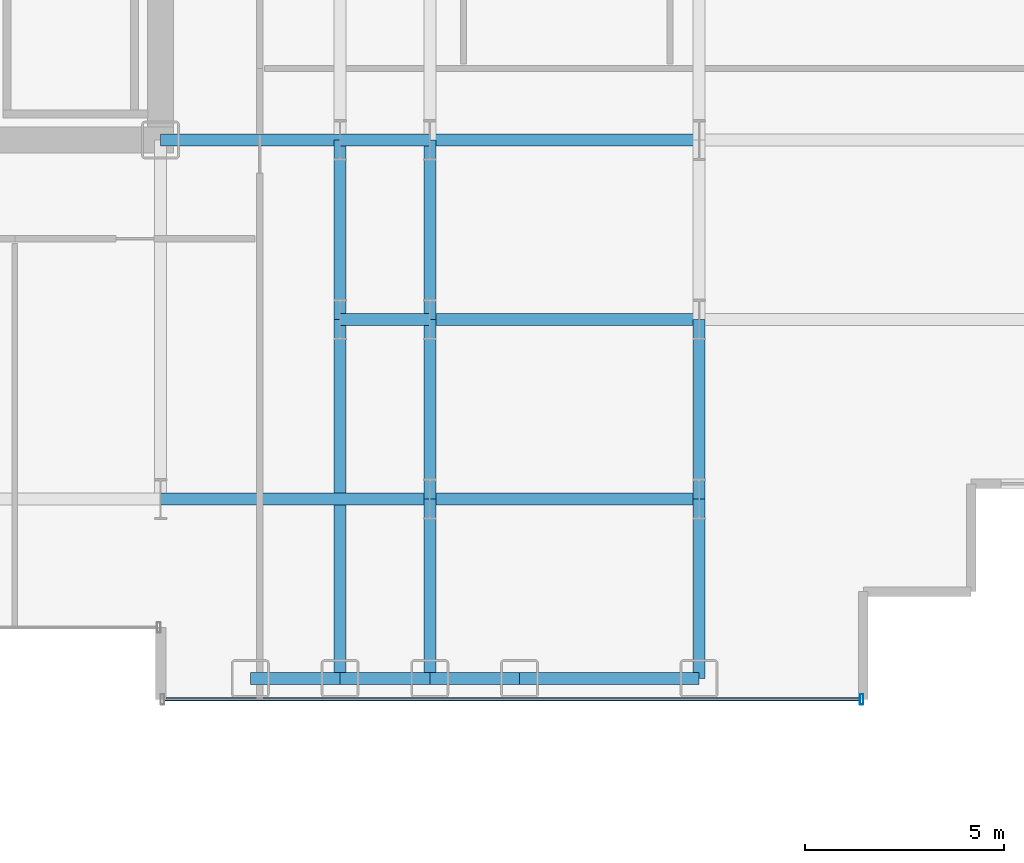
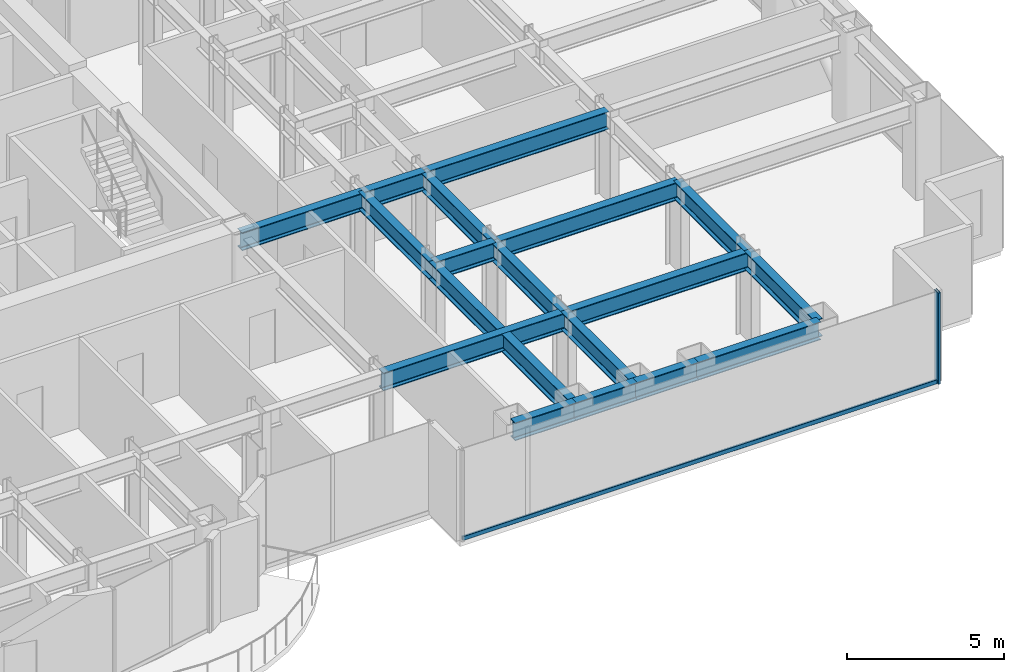
# One storey, part 9 of 29: 18 beams, 2 members, 1 element without a shape of its own.
"""IFC4 building model written with IfcOpenShell, lengths in metres."""

from ifc_helpers import new_model, si_unit, direction, frame, origin, origin_2d, place, context, subcontext, project, spatial, hollow_rectangle, i_section, extrude, source, transform, mapped, material, layer, layer_set, material_profile, profile_set, type_object, element, aggregate, save


model = new_model("IFC4")

# Units and contexts
model_context = context("Model", 3, precision=1e-05, world=origin(), true_north=direction((0.0, 1.0)))
body_context = subcontext(model_context, "Body", "Model", "MODEL_VIEW")
ifc_project = project(units=[si_unit("LENGTHUNIT", "METRE"), si_unit("AREAUNIT", "SQUARE_METRE"), si_unit("VOLUMEUNIT", "CUBIC_METRE"), si_unit("PLANEANGLEUNIT", "RADIAN"), si_unit("MASSUNIT", "GRAM", prefix="KILO")], contexts=[model_context])

# Site, building, storey
site_placement = place(None, origin())
site = spatial("IfcSite", under=ifc_project, at=site_placement, CompositionType="ELEMENT")
building_placement = place(site_placement, origin())
building = spatial("IfcBuilding", under=site, at=building_placement, Name="Nefas-Gora Pilgrimage Tower", CompositionType="ELEMENT")
storey_placement = place(building_placement, frame((0.0, 0.0, 44.39990234375)))
storey = spatial("IfcBuildingStorey", under=building, at=storey_placement, Name="L09", CompositionType="ELEMENT", Elevation=44.39990234375)

# Beams
ifc_material_1 = material(Name="Steel S355", Category="steel")
ifc_material_profile_1 = material_profile(ifc_material_1, i_section(OverallWidth=0.300048828125, OverallDepth=0.699951171875, WebThickness=0.01708984375, FlangeThickness=0.031982421875, FilletRadius=0.027099609375, at=origin_2d()), Name="HEB 700")
ifc_profile_set_1 = profile_set([ifc_material_profile_1], Name="Steel S355")
beam_type_1 = type_object("IfcBeamType", Name="BM-SPN-HEB600", PredefinedType="SPANDREL", material=ifc_profile_set_1)
shared_shape_1 = source(origin(), body_context, "Body", "SweptSolid", [
    extrude(i_section(OverallWidth=0.300048828125, OverallDepth=0.699951171875, WebThickness=0.01708984375, FlangeThickness=0.031982421875, FilletRadius=0.027099609375, at=origin_2d()), origin(), (0.0, 0.0, 1.0), 4.5),
])
beam_1_placement = place(storey_placement, frame((20.25, -22.5, 3.2001953125), z_axis=(1.0, 0.0, 0.0), x_axis=(0.0, 1.0, 0.0)))
element("IfcBeam", 1, at=beam_1_placement, inside=storey, type_object=beam_type_1, Name="L09 SP-01 beam", PredefinedType="SPANDREL", context=body_context, shape_type="MappedRepresentation", body=[
    mapped(shared_shape_1, transform((0.0, 0.0, 0.0), x_axis=(1.0, 0.0, 0.0), y_axis=(0.0, 1.0, 0.0), z_axis=(0.0, 0.0, 1.0), scale=1.0)),
])
ifc_material_profile_2 = material_profile(ifc_material_1, i_section(OverallWidth=0.300048828125, OverallDepth=0.699951171875, WebThickness=0.01708984375, FlangeThickness=0.031982421875, FilletRadius=0.027099609375, at=origin_2d()), Name="HEB 700")
ifc_profile_set_2 = profile_set([ifc_material_profile_2], Name="Steel S355")
beam_type_2 = type_object("IfcBeamType", Name="BM-GIR-HEB700", PredefinedType="BEAM", material=ifc_profile_set_2)
shared_shape_2 = source(origin(), body_context, "Body", "SweptSolid", [
    extrude(i_section(OverallWidth=0.300048828125, OverallDepth=0.699951171875, WebThickness=0.01708984375, FlangeThickness=0.031982421875, FilletRadius=0.027099609375, at=origin_2d()), origin(), (0.0, 0.0, 1.0), 9.0),
])
beam_2_placement = place(storey_placement, frame((15.75, -22.5, 3.2001953125), z_axis=(0.0, 1.0, 0.0), x_axis=(-1.0, 0.0, 0.0)))
element("IfcBeam", 2, at=beam_2_placement, inside=storey, type_object=beam_type_2, Name="L09 G-02 beam", PredefinedType="BEAM", context=body_context, shape_type="MappedRepresentation", body=[
    mapped(shared_shape_2, transform((0.0, 0.0, 0.0), x_axis=(1.0, 0.0, 0.0), y_axis=(0.0, 1.0, 0.0), z_axis=(0.0, 0.0, 1.0), scale=1.0)),
])
shared_shape_3 = source(origin(), body_context, "Body", "SweptSolid", [
    extrude(i_section(OverallWidth=0.300048828125, OverallDepth=0.699951171875, WebThickness=0.01708984375, FlangeThickness=0.031982421875, FilletRadius=0.027099609375, at=origin_2d()), origin(), (0.0, 0.0, 1.0), 4.5),
])
for number, where, z_axis, x_axis, name in (
    (3, (11.25, -9.0, 3.2001953125), (1.0, 0.0, 0.0), (0.0, 1.0, 0.0), "L09 G-02 beam"),
    (4, (15.75, -13.5, 3.2001953125), (0.0, 1.0, 0.0), (-1.0, 0.0, 0.0), "L09 G-02 beam"),
    (5, (18.0, -22.5, 3.2001953125), (0.0, 1.0, 0.0), (-1.0, 0.0, 0.0), "L09 G-02 beam"),
    (6, (18.0, -18.0, 3.2001953125), (0.0, 1.0, 0.0), (-1.0, 0.0, 0.0), "L09 G-02 beam"),
    (7, (18.0, -13.5, 3.2001953125), (0.0, 1.0, 0.0), (-1.0, 0.0, 0.0), "L09 G-02 beam"),
    (8, (24.75, -22.5, 3.2001953125), (0.0, 1.0, 0.0), (-1.0, 0.0, 0.0), "L09 G-02 beam"),
    (9, (24.75, -18.0, 3.2001953125), (0.0, 1.0, 0.0), (-1.0, 0.0, 0.0), "L09 G-02 beam"),
):
    element("IfcBeam", number, at=place(storey_placement, frame(where, z_axis=z_axis, x_axis=x_axis)), inside=storey, type_object=beam_type_2, Name=name, PredefinedType="BEAM", context=body_context, shape_type="MappedRepresentation", body=[
        mapped(shared_shape_3, transform((0.0, 0.0, 0.0), x_axis=(1.0, 0.0, 0.0), y_axis=(0.0, 1.0, 0.0), z_axis=(0.0, 0.0, 1.0), scale=1.0)),
    ])
shared_shape_4 = source(origin(), body_context, "Body", "SweptSolid", [
    extrude(i_section(OverallWidth=0.300048828125, OverallDepth=0.699951171875, WebThickness=0.01708984375, FlangeThickness=0.031982421875, FilletRadius=0.027099609375, at=origin_2d()), origin(), (0.0, 0.0, 1.0), 6.75),
])
for number, where, z_axis, x_axis, name in (
    (10, (11.25, -18.0, 3.2001953125), (1.0, 0.0, 0.0), (0.0, 1.0, 0.0), "L09 G-02 beam"),
    (11, (18.0, -18.0, 3.2001953125), (1.0, 0.0, 0.0), (0.0, 1.0, 0.0), "L09 G-02 beam"),
    (12, (18.0, -13.5, 3.2001953125), (1.0, 0.0, 0.0), (0.0, 1.0, 0.0), "L09 G-02 beam"),
    (13, (18.0, -9.0, 3.2001953125), (1.0, 0.0, 0.0), (0.0, 1.0, 0.0), "L09 G-02 beam"),
):
    element("IfcBeam", number, at=place(storey_placement, frame(where, z_axis=z_axis, x_axis=x_axis)), inside=storey, type_object=beam_type_2, Name=name, PredefinedType="BEAM", context=body_context, shape_type="MappedRepresentation", body=[
        mapped(shared_shape_4, transform((0.0, 0.0, 0.0), x_axis=(1.0, 0.0, 0.0), y_axis=(0.0, 1.0, 0.0), z_axis=(0.0, 0.0, 1.0), scale=1.0)),
    ])
shared_shape_5 = source(origin(), body_context, "Body", "SweptSolid", [
    extrude(i_section(OverallWidth=0.300048828125, OverallDepth=0.699951171875, WebThickness=0.01708984375, FlangeThickness=0.031982421875, FilletRadius=0.027099609375, at=origin_2d()), origin(), (0.0, 0.0, 1.0), 2.25),
])
for number, where, z_axis, x_axis, name in (
    (14, (13.5, -22.5, 3.2001953125), (1.0, 0.0, 0.0), (0.0, 1.0, 0.0), "L09 SP-01 beam"),
    (15, (15.75, -22.5, 3.2001953125), (1.0, 0.0, 0.0), (0.0, 1.0, 0.0), "L09 SP-01 beam"),
    (16, (18.0, -22.5, 3.2001953125), (1.0, 0.0, 0.0), (0.0, 1.0, 0.0), "L09 SP-01 beam"),
):
    element("IfcBeam", number, at=place(storey_placement, frame(where, z_axis=z_axis, x_axis=x_axis)), inside=storey, type_object=beam_type_1, Name=name, PredefinedType="SPANDREL", context=body_context, shape_type="MappedRepresentation", body=[
        mapped(shared_shape_5, transform((0.0, 0.0, 0.0), x_axis=(1.0, 0.0, 0.0), y_axis=(0.0, 1.0, 0.0), z_axis=(0.0, 0.0, 1.0), scale=1.0)),
    ])
shared_shape_6 = source(origin(), body_context, "Body", "SweptSolid", [
    extrude(i_section(OverallWidth=0.300048828125, OverallDepth=0.699951171875, WebThickness=0.01708984375, FlangeThickness=0.031982421875, FilletRadius=0.027099609375, at=origin_2d()), origin(), (0.0, 0.0, 1.0), 2.25),
])
for number, where, z_axis, x_axis, name in (
    (17, (15.75, -13.5, 3.2001953125), (1.0, 0.0, 0.0), (0.0, 1.0, 0.0), "L09 G-02 beam"),
    (18, (15.75, -9.0, 3.2001953125), (1.0, 0.0, 0.0), (0.0, 1.0, 0.0), "L09 G-02 beam"),
):
    element("IfcBeam", number, at=place(storey_placement, frame(where, z_axis=z_axis, x_axis=x_axis)), inside=storey, type_object=beam_type_2, Name=name, PredefinedType="BEAM", context=body_context, shape_type="MappedRepresentation", body=[
        mapped(shared_shape_6, transform((0.0, 0.0, 0.0), x_axis=(1.0, 0.0, 0.0), y_axis=(0.0, 1.0, 0.0), z_axis=(0.0, 0.0, 1.0), scale=1.0)),
    ])

# Curtain wall, members
ifc_material_2 = material(Name="Dark ceramic-fritted solar-control aluminium-glass curtain wall", Category="aluminium")
ifc_layer = layer(ifc_material_2, 0.219970703125)
ifc_layer_set = layer_set([ifc_layer], Name="Dark ceramic-fritted solar-control aluminium-glass curtain wall")
curtain_wall_type = type_object("IfcCurtainWallType", Name="CW-SYS-2", PredefinedType="NOTDEFINED", material=ifc_layer_set)
curtain_wall_placement = place(storey_placement, origin())
curtain_wall = element("IfcCurtainWall", 19, at=curtain_wall_placement, inside=storey, type_object=curtain_wall_type, Name="L09 Unitised Curtain Wall CW2", PredefinedType="NOTDEFINED")
ifc_material_3 = material(Name="Anodised architectural aluminium", Category="aluminium")
ifc_material_profile_3 = material_profile(ifc_material_3, hollow_rectangle(XDim=0.090087890625, YDim=0.260009765625, WallThickness=0.006103515625, InnerFilletRadius=0.006103515625, OuterFilletRadius=0.011962890625, at=origin_2d()), Name="ALU MULLION 90x260")
ifc_profile_set_3 = profile_set([ifc_material_profile_3], Name="Anodised architectural aluminium")
member_type_1 = type_object("IfcMemberType", Name="CWM-MUL-2", PredefinedType="MULLION", material=ifc_profile_set_3)
shared_shape_7 = source(origin(), body_context, "Body", "SweptSolid", [
    extrude(hollow_rectangle(XDim=0.090087890625, YDim=0.260009765625, WallThickness=0.006103515625, InnerFilletRadius=0.006103515625, OuterFilletRadius=0.011962890625, at=origin_2d()), origin(), (0.0, 0.0, 1.0), 3.550048828125),
])
member_1_placement = place(storey_placement, frame((28.824951171875, -23.02001953125, 0.0), z_axis=(0.0, 0.0, 1.0), x_axis=(1.0, 0.0, 0.0)))
member_1 = element("IfcMember", 20, at=member_1_placement, type_object=member_type_1, Name="CW2 Mullion 2", PredefinedType="MULLION", context=body_context, shape_type="MappedRepresentation", body=[
    mapped(shared_shape_7, transform((0.0, 0.0, 0.0), x_axis=(1.0, 0.0, 0.0), y_axis=(0.0, 1.0, 0.0), z_axis=(0.0, 0.0, 1.0), scale=1.0)),
])
ifc_material_profile_4 = material_profile(ifc_material_3, hollow_rectangle(XDim=0.080078125, YDim=0.159912109375, WallThickness=0.00439453125, InnerFilletRadius=0.00439453125, OuterFilletRadius=0.009033203125, at=origin_2d()), Name="ALU TRANSOM 80x160")
ifc_profile_set_4 = profile_set([ifc_material_profile_4], Name="Anodised architectural aluminium")
member_type_2 = type_object("IfcMemberType", Name="CWM-TRN-2", PredefinedType="USERDEFINED", material=ifc_profile_set_4)
shared_shape_8 = source(origin(), body_context, "Body", "SweptSolid", [
    extrude(hollow_rectangle(XDim=0.080078125, YDim=0.159912109375, WallThickness=0.00439453125, InnerFilletRadius=0.00439453125, OuterFilletRadius=0.009033203125, at=origin_2d()), origin(), (0.0, 0.0, 1.0), 17.43994140625),
])
member_2_placement = place(storey_placement, frame((11.340087890625, -23.02001953125, 0.050048828125), z_axis=(1.0, 0.0, 0.0), x_axis=(0.0, 1.0, 0.0)))
member_2 = element("IfcMember", 21, at=member_2_placement, type_object=member_type_2, Name="CW2 Spandrel Transom", ObjectType="TRANSOM", PredefinedType="USERDEFINED", context=body_context, shape_type="MappedRepresentation", body=[
    mapped(shared_shape_8, transform((0.0, 0.0, 0.0), x_axis=(1.0, 0.0, 0.0), y_axis=(0.0, 1.0, 0.0), z_axis=(0.0, 0.0, 1.0), scale=1.0)),
])
aggregate(curtain_wall, [member_1, member_2])

save(model, "model.ifc")
